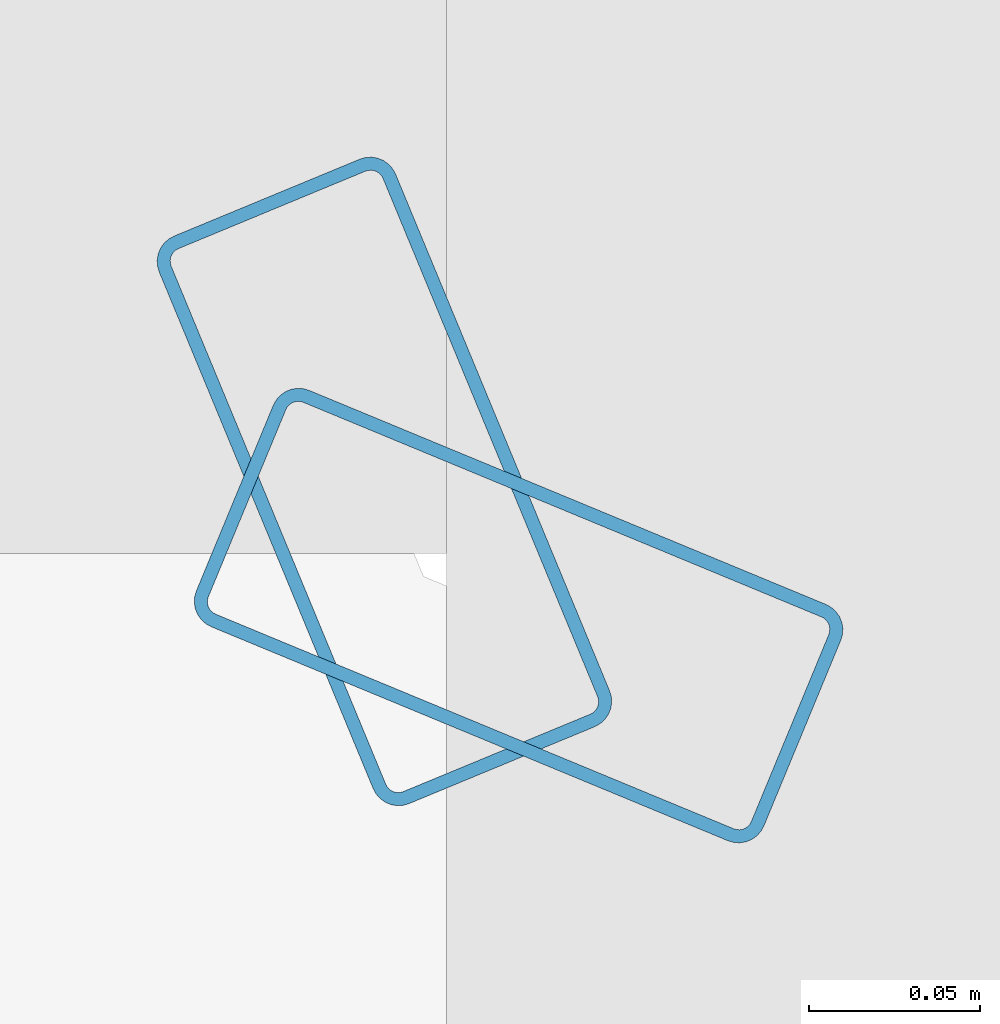
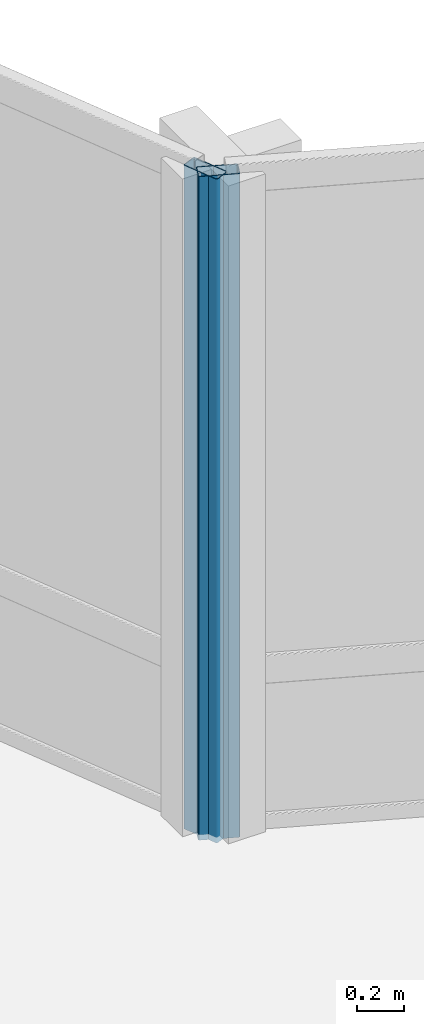
# One storey, part 8 of 34: 2 members, 2 elements without a shape of their own.
"""IFC4 building model written with IfcOpenShell, lengths in metres."""

from ifc_helpers import new_model, si_unit, direction, frame, origin, origin_2d, place, context, subcontext, project, spatial, hollow_rectangle, extrude, material, layer, layer_set, material_profile, profile_set, type_object, element, aggregate, save


model = new_model("IFC4")

# Units and contexts
model_context = context("Model", 3, precision=1e-05, world=origin(), true_north=direction((0.0, 1.0)))
body_context = subcontext(model_context, "Body", "Model", "MODEL_VIEW")
ifc_project = project(units=[si_unit("LENGTHUNIT", "METRE"), si_unit("AREAUNIT", "SQUARE_METRE"), si_unit("VOLUMEUNIT", "CUBIC_METRE"), si_unit("PLANEANGLEUNIT", "RADIAN"), si_unit("MASSUNIT", "GRAM", prefix="KILO")], contexts=[model_context])

# Site, building, storey
site_placement = place(None, origin())
site = spatial("IfcSite", under=ifc_project, at=site_placement, CompositionType="ELEMENT")
building_placement = place(site_placement, origin())
building = spatial("IfcBuilding", under=site, at=building_placement, Name="Solvaryn Broadcast Tower", CompositionType="ELEMENT")
storey_placement = place(building_placement, frame((0.0, 0.0, 92.800048828125)))
storey = spatial("IfcBuildingStorey", under=building, at=storey_placement, Name="L22", CompositionType="ELEMENT", Elevation=92.800048828125)

# Curtain wall, member
ifc_material_1 = material(Name="Aluminium and Terracotta Unitised Curtain Wall", Category="masonry")
ifc_layer = layer(ifc_material_1, 0.199951171875)
ifc_layer_set = layer_set([ifc_layer], Name="CW-SYS2-LOWMID")
curtain_wall_type = type_object("IfcCurtainWallType", Name="CW-SYS2-LOWMID", PredefinedType="NOTDEFINED", material=ifc_layer_set)
curtain_wall_1_placement = place(storey_placement, origin())
curtain_wall_1 = element("IfcCurtainWall", 1, at=curtain_wall_1_placement, inside=storey, type_object=curtain_wall_type, Name="L22 Curtain Wall CN1", PredefinedType="NOTDEFINED")
ifc_material_2 = material(Name="Anodised Aluminium 6063-T6", Category="aluminium")
ifc_material_profile = material_profile(ifc_material_2, hollow_rectangle(XDim=0.074951171875, YDim=0.179931640625, WallThickness=0.00390625, InnerFilletRadius=0.00390625, OuterFilletRadius=0.008056640625, at=origin_2d()))
ifc_profile_set = profile_set([ifc_material_profile], Name="Anodised Aluminium 6063-T6")
member_type = type_object("IfcMemberType", Name="CW-MUL-180", PredefinedType="MULLION", material=ifc_profile_set)
member_1_placement = place(storey_placement, frame((30.395751953125, 30.3564453125, 0.0), z_axis=(0.0, 0.0, 1.0), x_axis=(-0.382646127145, -0.923894983957, 0.0)))
member_1 = element("IfcMember", 2, at=member_1_placement, type_object=member_type, Name="CWS2 mullion 2", PredefinedType="MULLION", context=body_context, shape_type="SweptSolid", body=[
    extrude(hollow_rectangle(XDim=0.074951171875, YDim=0.179931640625, WallThickness=0.00390625, InnerFilletRadius=0.00390625, OuterFilletRadius=0.008056640625, at=origin_2d()), origin(), (0.0, 0.0, 1.0), 3.419921875),
])
aggregate(curtain_wall_1, [member_1])

curtain_wall_2_placement = place(storey_placement, origin())
curtain_wall_2 = element("IfcCurtainWall", 3, at=curtain_wall_2_placement, inside=storey, type_object=curtain_wall_type, Name="L22 Curtain Wall CN2", PredefinedType="NOTDEFINED")
member_2_placement = place(storey_placement, frame((30.3564453125, 30.395751953125, 0.0), z_axis=(0.0, 0.0, 1.0), x_axis=(-0.923894983957, -0.382646127145, 0.0)))
member_2 = element("IfcMember", 4, at=member_2_placement, type_object=member_type, Name="CWS2 mullion 1", PredefinedType="MULLION", context=body_context, shape_type="SweptSolid", body=[
    extrude(hollow_rectangle(XDim=0.074951171875, YDim=0.179931640625, WallThickness=0.00390625, InnerFilletRadius=0.00390625, OuterFilletRadius=0.008056640625, at=origin_2d()), origin(), (0.0, 0.0, 1.0), 3.419921875),
])
aggregate(curtain_wall_2, [member_2])

save(model, "model.ifc")
